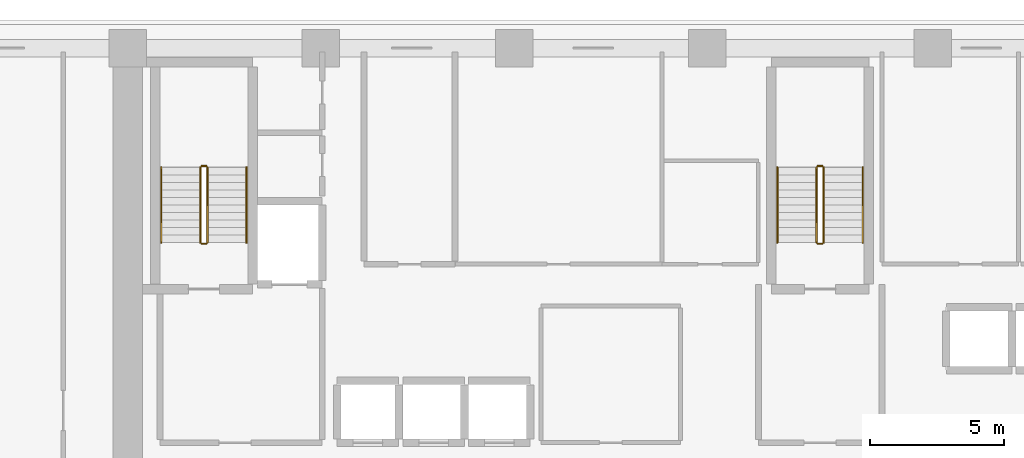
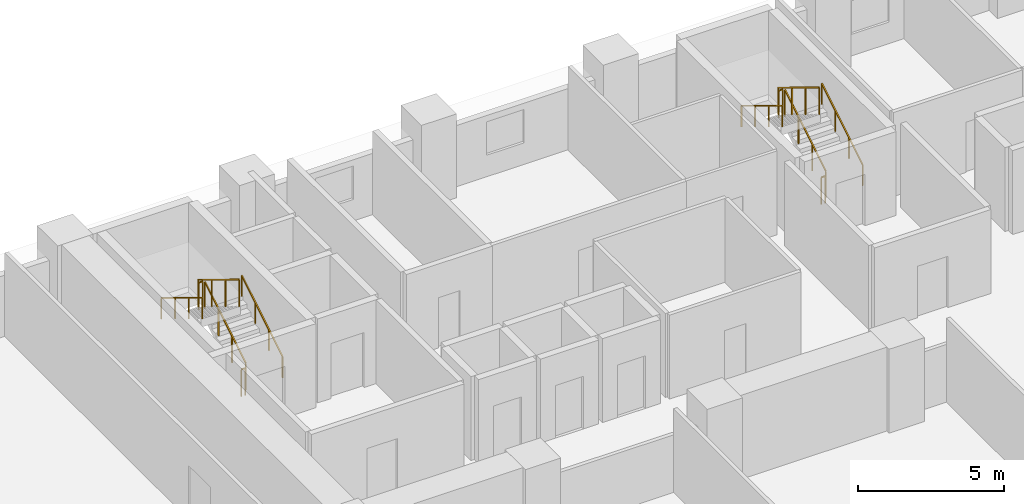
# One storey, part 13 of 15: 12 railings.
"""IFC4 building model written with IfcOpenShell, lengths in metres."""

from ifc_helpers import new_model, si_unit, direction, frame, origin, origin_2d, place, context, subcontext, project, spatial, rectangle, extrude, material, type_object, element, save


model = new_model("IFC4")

# Units and contexts
model_context = context("Model", 3, precision=1e-05, world=origin(), true_north=direction((0.0, 1.0)))
body_context = subcontext(model_context, "Body", "Model", "MODEL_VIEW")
ifc_project = project(units=[si_unit("LENGTHUNIT", "METRE"), si_unit("AREAUNIT", "SQUARE_METRE"), si_unit("VOLUMEUNIT", "CUBIC_METRE"), si_unit("PLANEANGLEUNIT", "RADIAN"), si_unit("MASSUNIT", "GRAM", prefix="KILO")], contexts=[model_context])

# Site, building, storey
site_placement = place(None, origin())
site = spatial("IfcSite", under=ifc_project, at=site_placement, CompositionType="ELEMENT")
building_placement = place(site_placement, origin())
building = spatial("IfcBuilding", under=site, at=building_placement, Name="Kaelvorn Grand Hotel", CompositionType="ELEMENT")
storey_placement = place(building_placement, frame((0.0, 0.0, 57.64990234375)))
storey = spatial("IfcBuildingStorey", under=building, at=storey_placement, Name="L12", CompositionType="ELEMENT", Elevation=57.64990234375)

# Railings
ifc_material = material(Name="Stainless Steel", Category="steel")
railing_type_1 = type_object("IfcRailingType", Name="RL-HANDRAIL-900", PredefinedType="HANDRAIL", material=ifc_material)
railing_1_placement = place(storey_placement, frame((20.6298828125, 41.760009765625, 0.170654296875)))
element("IfcRailing", 1, at=railing_1_placement, inside=storey, type_object=railing_type_1, Name="L12 ST1 stair handrail 1", PredefinedType="HANDRAIL", context=body_context, shape_type="SweptSolid", body=[
    extrude(rectangle(XDim=0.048095703125, YDim=0.048095703125, at=origin_2d()), frame((0.0, 0.0, 0.8759765625), z_axis=(0.0, 0.854202870247, 0.519939858505), x_axis=(-1.0, 0.0, 0.0)), (0.0, 0.0, 1.0), 3.278076171875),
    extrude(rectangle(XDim=0.0419921875, YDim=0.0419921875, at=origin_2d()), origin(), (0.0, 0.0, 1.0), 0.851806640625),
    extrude(rectangle(XDim=0.0419921875, YDim=0.0419921875, at=origin_2d()), frame((0.0, 0.933349609375, 0.568115234375)), (0.0, 0.0, 1.0), 0.851806640625),
    extrude(rectangle(XDim=0.0419921875, YDim=0.0419921875, at=origin_2d()), frame((0.0, 1.86669921875, 1.13623046875)), (0.0, 0.0, 1.0), 0.851806640625),
    extrude(rectangle(XDim=0.0419921875, YDim=0.0419921875, at=origin_2d()), frame((0.0, 2.800048828125, 1.704345703125)), (0.0, 0.0, 1.0), 0.851806640625),
])
railing_2_placement = place(storey_placement, frame((17.449951171875, 44.56005859375, 2.045654296875)))
element("IfcRailing", 2, at=railing_2_placement, inside=storey, type_object=railing_type_1, Name="L12 ST1 stair handrail 2", PredefinedType="HANDRAIL", context=body_context, shape_type="SweptSolid", body=[
    extrude(rectangle(XDim=0.048095703125, YDim=0.048095703125, at=origin_2d()), frame((0.0, 0.0, 0.8759765625), z_axis=(0.0, -0.854202870247, 0.519939858505), x_axis=(1.0, 0.0, 0.0)), (0.0, 0.0, 1.0), 3.278076171875),
    extrude(rectangle(XDim=0.0419921875, YDim=0.0419921875, at=origin_2d()), origin(), (0.0, 0.0, 1.0), 0.851806640625),
    extrude(rectangle(XDim=0.0419921875, YDim=0.0419921875, at=origin_2d()), frame((0.0, -0.933349609375, 0.568115234375)), (0.0, 0.0, 1.0), 0.851806640625),
    extrude(rectangle(XDim=0.0419921875, YDim=0.0419921875, at=origin_2d()), frame((0.0, -1.86669921875, 1.13623046875)), (0.0, 0.0, 1.0), 0.851806640625),
    extrude(rectangle(XDim=0.0419921875, YDim=0.0419921875, at=origin_2d()), frame((0.0, -2.800048828125, 1.704345703125)), (0.0, 0.0, 1.0), 0.851806640625),
])
railing_3_placement = place(storey_placement, frame((43.590087890625, 41.760009765625, 0.170654296875)))
element("IfcRailing", 3, at=railing_3_placement, inside=storey, type_object=railing_type_1, Name="L12 ST2 stair handrail 1", PredefinedType="HANDRAIL", context=body_context, shape_type="SweptSolid", body=[
    extrude(rectangle(XDim=0.048095703125, YDim=0.048095703125, at=origin_2d()), frame((0.0, 0.0, 0.8759765625), z_axis=(0.0, 0.854202870247, 0.519939858505), x_axis=(-1.0, 0.0, 0.0)), (0.0, 0.0, 1.0), 3.278076171875),
    extrude(rectangle(XDim=0.0419921875, YDim=0.0419921875, at=origin_2d()), origin(), (0.0, 0.0, 1.0), 0.851806640625),
    extrude(rectangle(XDim=0.0419921875, YDim=0.0419921875, at=origin_2d()), frame((0.0, 0.933349609375, 0.568115234375)), (0.0, 0.0, 1.0), 0.851806640625),
    extrude(rectangle(XDim=0.0419921875, YDim=0.0419921875, at=origin_2d()), frame((0.0, 1.86669921875, 1.13623046875)), (0.0, 0.0, 1.0), 0.851806640625),
    extrude(rectangle(XDim=0.0419921875, YDim=0.0419921875, at=origin_2d()), frame((0.0, 2.800048828125, 1.704345703125)), (0.0, 0.0, 1.0), 0.851806640625),
])
railing_4_placement = place(storey_placement, frame((40.409912109375, 44.56005859375, 2.045654296875)))
element("IfcRailing", 4, at=railing_4_placement, inside=storey, type_object=railing_type_1, Name="L12 ST2 stair handrail 2", PredefinedType="HANDRAIL", context=body_context, shape_type="SweptSolid", body=[
    extrude(rectangle(XDim=0.048095703125, YDim=0.048095703125, at=origin_2d()), frame((0.0, 0.0, 0.8759765625), z_axis=(0.0, -0.854202870247, 0.519939858505), x_axis=(1.0, 0.0, 0.0)), (0.0, 0.0, 1.0), 3.278076171875),
    extrude(rectangle(XDim=0.0419921875, YDim=0.0419921875, at=origin_2d()), origin(), (0.0, 0.0, 1.0), 0.851806640625),
    extrude(rectangle(XDim=0.0419921875, YDim=0.0419921875, at=origin_2d()), frame((0.0, -0.933349609375, 0.568115234375)), (0.0, 0.0, 1.0), 0.851806640625),
    extrude(rectangle(XDim=0.0419921875, YDim=0.0419921875, at=origin_2d()), frame((0.0, -1.86669921875, 1.13623046875)), (0.0, 0.0, 1.0), 0.851806640625),
    extrude(rectangle(XDim=0.0419921875, YDim=0.0419921875, at=origin_2d()), frame((0.0, -2.800048828125, 1.704345703125)), (0.0, 0.0, 1.0), 0.851806640625),
])
railing_type_2 = type_object("IfcRailingType", Name="RL-STAIR-GUARD-1150", PredefinedType="BALUSTRADE", material=ifc_material)
railing_5_placement = place(storey_placement, frame((19.169921875, 41.760009765625, 0.170654296875)))
element("IfcRailing", 5, at=railing_5_placement, inside=storey, type_object=railing_type_2, Name="L12 ST1 stair guard 1", PredefinedType="BALUSTRADE", context=body_context, shape_type="SweptSolid", body=[
    extrude(rectangle(XDim=0.048095703125, YDim=0.048095703125, at=origin_2d()), frame((0.0, 0.0, 1.1259765625), z_axis=(0.0, 0.854202870247, 0.519939858505), x_axis=(-1.0, 0.0, 0.0)), (0.0, 0.0, 1.0), 3.278076171875),
    extrude(rectangle(XDim=0.0419921875, YDim=0.0419921875, at=origin_2d()), origin(), (0.0, 0.0, 1.0), 1.101806640625),
    extrude(rectangle(XDim=0.0419921875, YDim=0.0419921875, at=origin_2d()), frame((0.0, 0.933349609375, 0.568115234375)), (0.0, 0.0, 1.0), 1.101806640625),
    extrude(rectangle(XDim=0.0419921875, YDim=0.0419921875, at=origin_2d()), frame((0.0, 1.86669921875, 1.13623046875)), (0.0, 0.0, 1.0), 1.101806640625),
    extrude(rectangle(XDim=0.0419921875, YDim=0.0419921875, at=origin_2d()), frame((0.0, 2.800048828125, 1.704345703125)), (0.0, 0.0, 1.0), 1.101806640625),
])
railing_6_placement = place(storey_placement, frame((19.1201171875, 44.610107421875, 1.875)))
element("IfcRailing", 6, at=railing_6_placement, inside=storey, type_object=railing_type_2, Name="L12 ST1 stair guard 2", PredefinedType="BALUSTRADE", context=body_context, shape_type="SweptSolid", body=[
    extrude(rectangle(XDim=0.048095703125, YDim=0.048095703125, at=origin_2d()), frame((0.0, 0.0, 1.1259765625), z_axis=(-1.0, 0.0, 0.0), x_axis=(0.0, -1.0, 0.0)), (0.0, 0.0, 1.0), 0.16015625),
    extrude(rectangle(XDim=0.0419921875, YDim=0.0419921875, at=origin_2d()), origin(), (0.0, 0.0, 1.0), 1.101806640625),
    extrude(rectangle(XDim=0.0419921875, YDim=0.0419921875, at=origin_2d()), frame((-0.16015625, 0.0, 0.0)), (0.0, 0.0, 1.0), 1.101806640625),
])
railing_7_placement = place(storey_placement, frame((18.909912109375, 44.56005859375, 2.045654296875)))
element("IfcRailing", 7, at=railing_7_placement, inside=storey, type_object=railing_type_2, Name="L12 ST1 stair guard 3", PredefinedType="BALUSTRADE", context=body_context, shape_type="SweptSolid", body=[
    extrude(rectangle(XDim=0.048095703125, YDim=0.048095703125, at=origin_2d()), frame((0.0, 0.0, 1.1259765625), z_axis=(0.0, -0.854202870247, 0.519939858505), x_axis=(1.0, 0.0, 0.0)), (0.0, 0.0, 1.0), 3.278076171875),
    extrude(rectangle(XDim=0.0419921875, YDim=0.0419921875, at=origin_2d()), origin(), (0.0, 0.0, 1.0), 1.101806640625),
    extrude(rectangle(XDim=0.0419921875, YDim=0.0419921875, at=origin_2d()), frame((0.0, -0.933349609375, 0.568115234375)), (0.0, 0.0, 1.0), 1.101806640625),
    extrude(rectangle(XDim=0.0419921875, YDim=0.0419921875, at=origin_2d()), frame((0.0, -1.86669921875, 1.13623046875)), (0.0, 0.0, 1.0), 1.101806640625),
    extrude(rectangle(XDim=0.0419921875, YDim=0.0419921875, at=origin_2d()), frame((0.0, -2.800048828125, 1.704345703125)), (0.0, 0.0, 1.0), 1.101806640625),
])
railing_8_placement = place(storey_placement, frame((19.1201171875, 41.7099609375, 0.0)))
element("IfcRailing", 8, at=railing_8_placement, inside=storey, type_object=railing_type_2, Name="L12 ST1 stair guard 4", PredefinedType="BALUSTRADE", context=body_context, shape_type="SweptSolid", body=[
    extrude(rectangle(XDim=0.048095703125, YDim=0.048095703125, at=origin_2d()), frame((0.0, 0.0, 1.1259765625), z_axis=(-1.0, 0.0, 0.0), x_axis=(0.0, -1.0, 0.0)), (0.0, 0.0, 1.0), 0.16015625),
    extrude(rectangle(XDim=0.0419921875, YDim=0.0419921875, at=origin_2d()), origin(), (0.0, 0.0, 1.0), 1.101806640625),
    extrude(rectangle(XDim=0.0419921875, YDim=0.0419921875, at=origin_2d()), frame((-0.16015625, 0.0, 0.0)), (0.0, 0.0, 1.0), 1.101806640625),
])
railing_9_placement = place(storey_placement, frame((42.1298828125, 41.760009765625, 0.170654296875)))
element("IfcRailing", 9, at=railing_9_placement, inside=storey, type_object=railing_type_2, Name="L12 ST2 stair guard 1", PredefinedType="BALUSTRADE", context=body_context, shape_type="SweptSolid", body=[
    extrude(rectangle(XDim=0.048095703125, YDim=0.048095703125, at=origin_2d()), frame((0.0, 0.0, 1.1259765625), z_axis=(0.0, 0.854202870247, 0.519939858505), x_axis=(-1.0, 0.0, 0.0)), (0.0, 0.0, 1.0), 3.278076171875),
    extrude(rectangle(XDim=0.0419921875, YDim=0.0419921875, at=origin_2d()), origin(), (0.0, 0.0, 1.0), 1.101806640625),
    extrude(rectangle(XDim=0.0419921875, YDim=0.0419921875, at=origin_2d()), frame((0.0, 0.933349609375, 0.568115234375)), (0.0, 0.0, 1.0), 1.101806640625),
    extrude(rectangle(XDim=0.0419921875, YDim=0.0419921875, at=origin_2d()), frame((0.0, 1.86669921875, 1.13623046875)), (0.0, 0.0, 1.0), 1.101806640625),
    extrude(rectangle(XDim=0.0419921875, YDim=0.0419921875, at=origin_2d()), frame((0.0, 2.800048828125, 1.704345703125)), (0.0, 0.0, 1.0), 1.101806640625),
])
railing_10_placement = place(storey_placement, frame((42.080078125, 44.610107421875, 1.875)))
element("IfcRailing", 10, at=railing_10_placement, inside=storey, type_object=railing_type_2, Name="L12 ST2 stair guard 2", PredefinedType="BALUSTRADE", context=body_context, shape_type="SweptSolid", body=[
    extrude(rectangle(XDim=0.048095703125, YDim=0.048095703125, at=origin_2d()), frame((0.0, 0.0, 1.1259765625), z_axis=(-1.0, 0.0, 0.0), x_axis=(0.0, -1.0, 0.0)), (0.0, 0.0, 1.0), 0.16015625),
    extrude(rectangle(XDim=0.0419921875, YDim=0.0419921875, at=origin_2d()), origin(), (0.0, 0.0, 1.0), 1.101806640625),
    extrude(rectangle(XDim=0.0419921875, YDim=0.0419921875, at=origin_2d()), frame((-0.16015625, 0.0, 0.0)), (0.0, 0.0, 1.0), 1.101806640625),
])
railing_11_placement = place(storey_placement, frame((41.8701171875, 44.56005859375, 2.045654296875)))
element("IfcRailing", 11, at=railing_11_placement, inside=storey, type_object=railing_type_2, Name="L12 ST2 stair guard 3", PredefinedType="BALUSTRADE", context=body_context, shape_type="SweptSolid", body=[
    extrude(rectangle(XDim=0.048095703125, YDim=0.048095703125, at=origin_2d()), frame((0.0, 0.0, 1.1259765625), z_axis=(0.0, -0.854202870247, 0.519939858505), x_axis=(1.0, 0.0, 0.0)), (0.0, 0.0, 1.0), 3.278076171875),
    extrude(rectangle(XDim=0.0419921875, YDim=0.0419921875, at=origin_2d()), origin(), (0.0, 0.0, 1.0), 1.101806640625),
    extrude(rectangle(XDim=0.0419921875, YDim=0.0419921875, at=origin_2d()), frame((0.0, -0.933349609375, 0.568115234375)), (0.0, 0.0, 1.0), 1.101806640625),
    extrude(rectangle(XDim=0.0419921875, YDim=0.0419921875, at=origin_2d()), frame((0.0, -1.86669921875, 1.13623046875)), (0.0, 0.0, 1.0), 1.101806640625),
    extrude(rectangle(XDim=0.0419921875, YDim=0.0419921875, at=origin_2d()), frame((0.0, -2.800048828125, 1.704345703125)), (0.0, 0.0, 1.0), 1.101806640625),
])
railing_12_placement = place(storey_placement, frame((42.080078125, 41.7099609375, 0.0)))
element("IfcRailing", 12, at=railing_12_placement, inside=storey, type_object=railing_type_2, Name="L12 ST2 stair guard 4", PredefinedType="BALUSTRADE", context=body_context, shape_type="SweptSolid", body=[
    extrude(rectangle(XDim=0.048095703125, YDim=0.048095703125, at=origin_2d()), frame((0.0, 0.0, 1.1259765625), z_axis=(-1.0, 0.0, 0.0), x_axis=(0.0, -1.0, 0.0)), (0.0, 0.0, 1.0), 0.16015625),
    extrude(rectangle(XDim=0.0419921875, YDim=0.0419921875, at=origin_2d()), origin(), (0.0, 0.0, 1.0), 1.101806640625),
    extrude(rectangle(XDim=0.0419921875, YDim=0.0419921875, at=origin_2d()), frame((-0.16015625, 0.0, 0.0)), (0.0, 0.0, 1.0), 1.101806640625),
])

save(model, "model.ifc")
